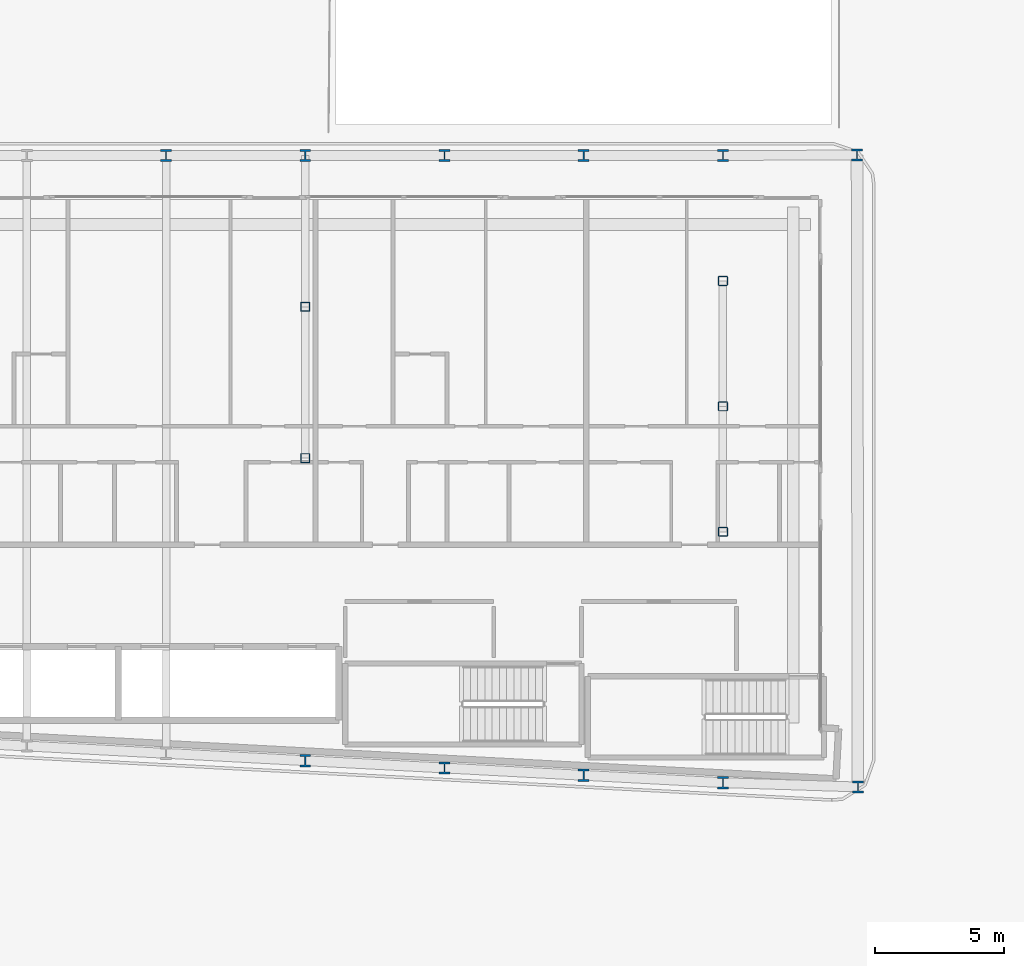
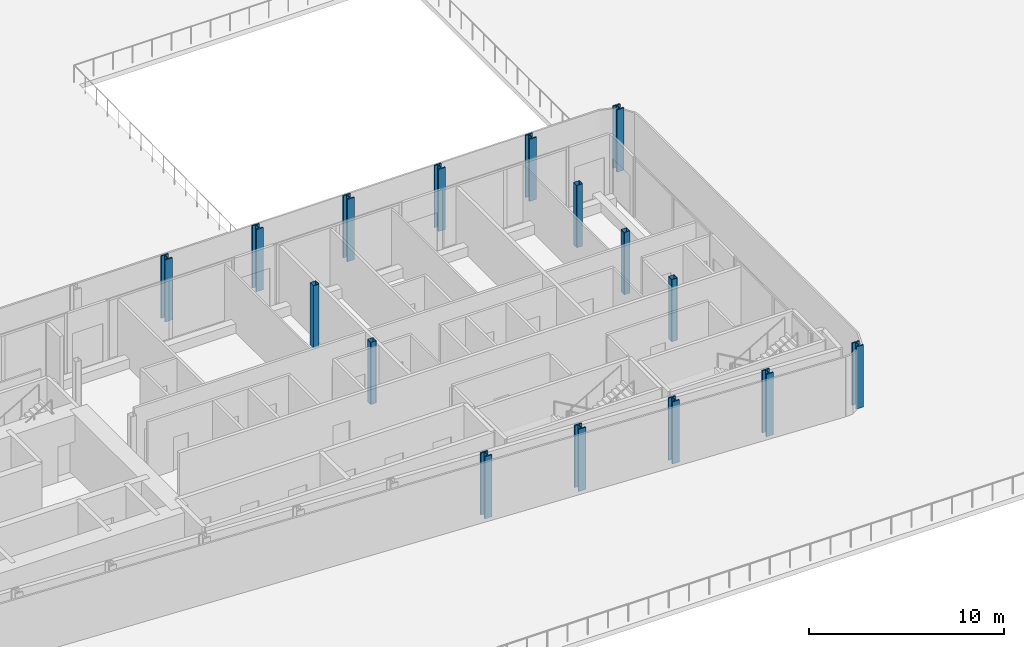
# One storey, part 2 of 27: 16 columns.
"""IFC4 building model written with IfcOpenShell, lengths in metres."""

from ifc_helpers import new_model, si_unit, direction, frame, origin, origin_2d, place, context, subcontext, project, spatial, hollow_rectangle, i_section, extrude, material, material_profile, profile_set, type_object, element, save


model = new_model("IFC4")

# Units and contexts
model_context = context("Model", 3, precision=1e-05, world=origin(), true_north=direction((0.0, 1.0)))
body_context = subcontext(model_context, "Body", "Model", "MODEL_VIEW")
ifc_project = project(units=[si_unit("LENGTHUNIT", "METRE"), si_unit("AREAUNIT", "SQUARE_METRE"), si_unit("VOLUMEUNIT", "CUBIC_METRE"), si_unit("PLANEANGLEUNIT", "RADIAN"), si_unit("MASSUNIT", "GRAM", prefix="KILO")], contexts=[model_context])

# Site, building, storey
site_placement = place(None, origin())
site = spatial("IfcSite", under=ifc_project, at=site_placement, CompositionType="ELEMENT")
building_placement = place(site_placement, origin())
building = spatial("IfcBuilding", under=site, at=building_placement, Name="Kheshtan School and Residences Tower", CompositionType="ELEMENT")
storey_placement = place(building_placement, frame((0.0, 0.0, 30.5)))
storey = spatial("IfcBuildingStorey", under=building, at=storey_placement, Name="L06", CompositionType="ELEMENT", Elevation=30.5)

# Columns
ifc_material_1 = material(Name="Steel ASTM A992 Grade 50", Category="steel")
ifc_material_profile_1 = material_profile(ifc_material_1, i_section(OverallWidth=0.424072265625, OverallDepth=0.47412109375, WebThickness=0.047607421875, FlangeThickness=0.0771484375, FilletRadius=0.01416015625, at=origin_2d()), Name="W360x634")
ifc_profile_set_1 = profile_set([ifc_material_profile_1], Name="Steel ASTM A992 Grade 50")
column_type_1 = type_object("IfcColumnType", Name="Column C1 W360x634 ASTM A992 Grade 50", PredefinedType="COLUMN", material=ifc_profile_set_1)
for number, where, z_axis, x_axis, name in (
    (1, (90.637939453125, 21.10693359375, 0.0), (0.0, 0.0, 1.0), (1.0, 0.0, 0.0), "Column C007"),
    (2, (85.39990234375, 21.27392578125, 0.0), (0.0, 0.0, 1.0), (1.0, 0.0, 0.0), "Column C008"),
    (3, (80.0, 21.55810546875, 0.0), (0.0, 0.0, 1.0), (1.0, 0.0, 0.0), "Column C012"),
    (4, (74.60009765625, 21.843017578125, 0.0), (0.0, 0.0, 1.0), (1.0, 0.0, 0.0), "Column C013"),
    (5, (69.199951171875, 22.126953125, 0.0), (0.0, 0.0, 1.0), (1.0, 0.0, 0.0), "Column C014"),
    (6, (63.800048828125, 45.60009765625, 0.0), (0.0, 0.0, 1.0), (1.0, 0.0, 0.0), "Column C063"),
    (7, (69.199951171875, 45.60009765625, 0.0), (0.0, 0.0, 1.0), (1.0, 0.0, 0.0), "Column C064"),
    (8, (74.60009765625, 45.60009765625, 0.0), (0.0, 0.0, 1.0), (1.0, 0.0, 0.0), "Column C065"),
    (9, (80.0, 45.60009765625, 0.0), (0.0, 0.0, 1.0), (1.0, 0.0, 0.0), "Column C066"),
    (10, (85.39990234375, 45.60009765625, 0.0), (0.0, 0.0, 1.0), (1.0, 0.0, 0.0), "Column C067"),
    (11, (90.60107421875, 45.62109375, 0.0), (0.0, 0.0, 1.0), (1.0, 0.0, 0.0), "Column C075"),
):
    element("IfcColumn", number, at=place(storey_placement, frame(where, z_axis=z_axis, x_axis=x_axis)), inside=storey, type_object=column_type_1, Name=name, PredefinedType="COLUMN", context=body_context, shape_type="SweptSolid", body=[
        extrude(i_section(OverallWidth=0.424072265625, OverallDepth=0.47412109375, WebThickness=0.047607421875, FlangeThickness=0.0771484375, FilletRadius=0.01416015625, at=origin_2d()), origin(), (0.0, 0.0, 1.0), 3.89990234375),
    ])
ifc_material_2 = material(Name="Steel ASTM A500 Grade C", Category="steel")
ifc_material_profile_2 = material_profile(ifc_material_2, hollow_rectangle(XDim=0.35595703125, YDim=0.35595703125, WallThickness=0.015869140625, InnerFilletRadius=0.015869140625, OuterFilletRadius=0.03173828125, at=origin_2d()), Name="HSS 356x356x15.9")
ifc_profile_set_2 = profile_set([ifc_material_profile_2], Name="Steel ASTM A500 Grade C")
column_type_2 = type_object("IfcColumnType", Name="Column IC1 HSS 356x356x15.9 ASTM A500 Grade C", PredefinedType="COLUMN", material=ifc_profile_set_2)
for number, where, z_axis, x_axis, name in (
    (12, (85.39990234375, 31.0048828125, 0.0), (0.0, 0.0, 1.0), (1.0, 0.0, 0.0), "Column C049"),
    (13, (69.199951171875, 33.863037109375, 0.0), (0.0, 0.0, 1.0), (1.0, 0.0, 0.0), "Column C050"),
    (14, (85.39990234375, 35.8701171875, 0.0), (0.0, 0.0, 1.0), (1.0, 0.0, 0.0), "Column C053"),
    (15, (69.199951171875, 39.73193359375, 0.0), (0.0, 0.0, 1.0), (1.0, 0.0, 0.0), "Column C054"),
    (16, (85.39990234375, 40.735107421875, 0.0), (0.0, 0.0, 1.0), (1.0, 0.0, 0.0), "Column C057"),
):
    element("IfcColumn", number, at=place(storey_placement, frame(where, z_axis=z_axis, x_axis=x_axis)), inside=storey, type_object=column_type_2, Name=name, PredefinedType="COLUMN", context=body_context, shape_type="SweptSolid", body=[
        extrude(hollow_rectangle(XDim=0.35595703125, YDim=0.35595703125, WallThickness=0.015869140625, InnerFilletRadius=0.015869140625, OuterFilletRadius=0.03173828125, at=origin_2d()), origin(), (0.0, 0.0, 1.0), 3.89990234375),
    ])

save(model, "model.ifc")
